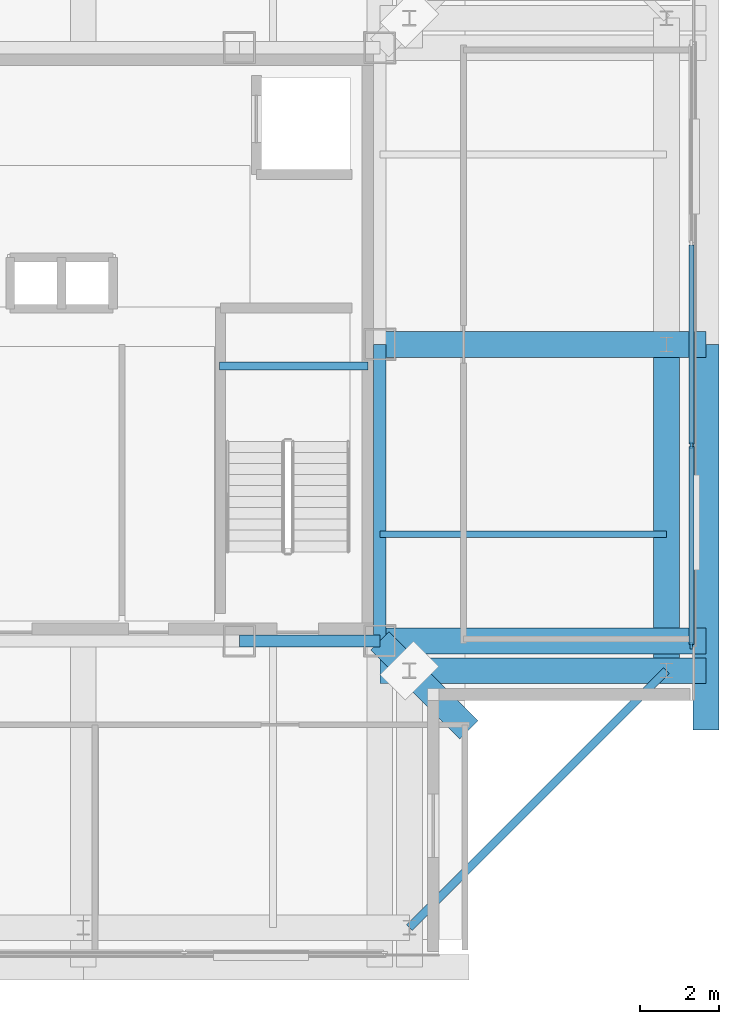
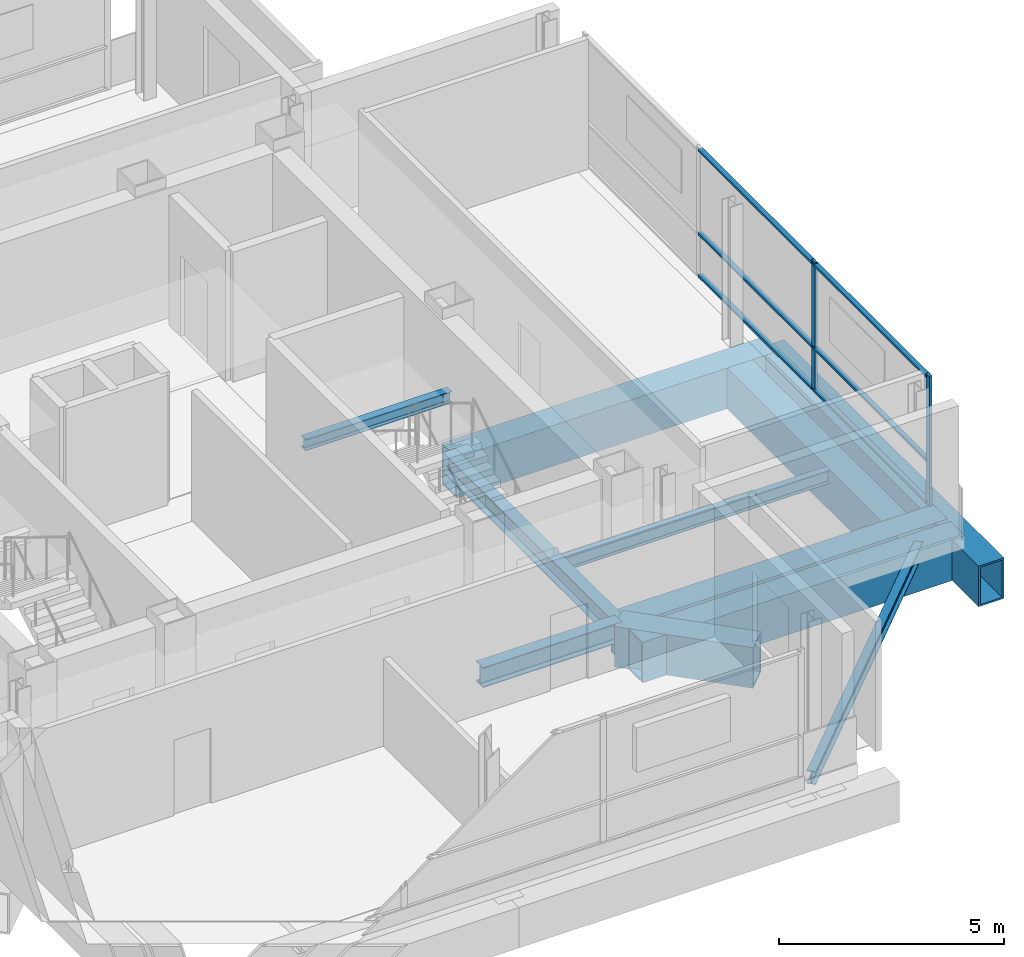
# One storey, part 3 of 10: 11 beams, 8 members, 1 element without a shape of its own.
"""IFC4 building model written with IfcOpenShell, lengths in metres."""

from ifc_helpers import new_model, si_unit, direction, frame, origin, origin_2d, place, context, subcontext, project, spatial, rectangle, hollow_rectangle, i_section, extrude, material, layer, layer_set, material_profile, profile_set, type_object, element, aggregate, save


model = new_model("IFC4")

# Units and contexts
model_context = context("Model", 3, precision=1e-05, world=origin(), true_north=direction((0.0, 1.0)))
body_context = subcontext(model_context, "Body", "Model", "MODEL_VIEW")
ifc_project = project(units=[si_unit("LENGTHUNIT", "METRE"), si_unit("AREAUNIT", "SQUARE_METRE"), si_unit("VOLUMEUNIT", "CUBIC_METRE"), si_unit("PLANEANGLEUNIT", "RADIAN"), si_unit("MASSUNIT", "GRAM", prefix="KILO")], contexts=[model_context])

# Site, building, storey
site_placement = place(None, origin())
site = spatial("IfcSite", under=ifc_project, at=site_placement, CompositionType="ELEMENT")
building_placement = place(site_placement, origin())
building = spatial("IfcBuilding", under=site, at=building_placement, Name="Trevonay Congress Spire", CompositionType="ELEMENT")
storey_placement = place(building_placement, frame((0.0, 0.0, 316.0)))
storey = spatial("IfcBuildingStorey", under=building, at=storey_placement, Name="L83", CompositionType="ELEMENT", Elevation=316.0)

# Beams
ifc_material_1 = material(Name="Steel ASTM A572 Grade 50", Category="steel")
ifc_material_profile_1 = material_profile(ifc_material_1, i_section(OverallWidth=0.31201171875, OverallDepth=0.54296875, WebThickness=0.0126953125, FlangeThickness=0.020263671875, FilletRadius=0.014892578125, at=origin_2d()), Name="W530x150")
ifc_profile_set_1 = profile_set([ifc_material_profile_1], Name="Steel ASTM A572 Grade 50")
beam_type_1 = type_object("IfcBeamType", Name="BM-GIRD-W530X150", PredefinedType="BEAM", material=ifc_profile_set_1)
beam_1_placement = place(storey_placement, frame((3.949951171875, -7.5, -0.67138671875), z_axis=(1.0, 0.0, 0.0), x_axis=(0.0, 1.0, 0.0)))
element("IfcBeam", 1, at=beam_1_placement, inside=storey, type_object=beam_type_1, Name="L83 structural beam BM-L83-CR-S3", PredefinedType="BEAM", context=body_context, shape_type="SweptSolid", body=[
    extrude(i_section(OverallWidth=0.31201171875, OverallDepth=0.54296875, WebThickness=0.0126953125, FlangeThickness=0.020263671875, FilletRadius=0.014892578125, at=origin_2d()), origin(), (0.0, 0.0, 1.0), 3.550048828125),
])
beam_2_placement = place(storey_placement, frame((7.5, -7.5, -0.67138671875), z_axis=(0.0, 1.0, 0.0), x_axis=(-1.0, 0.0, 0.0)))
element("IfcBeam", 2, at=beam_2_placement, inside=storey, type_object=beam_type_1, Name="L83 structural beam BM-L83-CR-E1", PredefinedType="BEAM", context=body_context, shape_type="SweptSolid", body=[
    extrude(i_section(OverallWidth=0.31201171875, OverallDepth=0.54296875, WebThickness=0.0126953125, FlangeThickness=0.020263671875, FilletRadius=0.014892578125, at=origin_2d()), origin(), (0.0, 0.0, 1.0), 7.5),
])
ifc_material_profile_2 = material_profile(ifc_material_1, hollow_rectangle(XDim=0.64990234375, YDim=1.10009765625, WallThickness=0.044921875, at=origin_2d()), Name="BOX 1100x650x45")
ifc_profile_set_2 = profile_set([ifc_material_profile_2], Name="Steel ASTM A572 Grade 50")
beam_type_2 = type_object("IfcBeamType", Name="BM-RING-BOX1100", PredefinedType="BEAM", material=ifc_profile_set_2)
beam_3_placement = place(storey_placement, frame((14.75, -8.25, -0.949951171875), z_axis=(0.0, 1.0, 0.0), x_axis=(-1.0, 0.0, 0.0)))
element("IfcBeam", 3, at=beam_3_placement, inside=storey, type_object=beam_type_2, Name="L83 structural beam BM-L83-PE1", PredefinedType="BEAM", context=body_context, shape_type="SweptSolid", body=[
    extrude(hollow_rectangle(XDim=0.64990234375, YDim=1.10009765625, WallThickness=0.044921875, at=origin_2d()), origin(), (0.0, 0.0, 1.0), 8.25),
])
beam_4_placement = place(storey_placement, frame((15.75, -9.75, -0.949951171875), z_axis=(0.0, 1.0, 0.0), x_axis=(-1.0, 0.0, 0.0)))
element("IfcBeam", 4, at=beam_4_placement, inside=storey, type_object=beam_type_2, Name="L83 structural beam XOUT-L83-E0", PredefinedType="BEAM", context=body_context, shape_type="SweptSolid", body=[
    extrude(hollow_rectangle(XDim=0.64990234375, YDim=1.10009765625, WallThickness=0.044921875, at=origin_2d()), origin(), (0.0, 0.0, 1.0), 9.75),
])
ifc_material_profile_3 = material_profile(ifc_material_1, hollow_rectangle(XDim=0.64990234375, YDim=1.10009765625, WallThickness=0.044921875, at=origin_2d()), Name="BOX 1100x650x45")
ifc_profile_set_3 = profile_set([ifc_material_profile_3], Name="Steel ASTM A572 Grade 50")
beam_type_3 = type_object("IfcBeamType", Name="BM-XFER-BOX1100", PredefinedType="BEAM", material=ifc_profile_set_3)
beam_5_placement = place(storey_placement, frame((7.5, -7.5, -0.949951171875), z_axis=(0.707106781187, -0.707106781187, 0.0), x_axis=(0.707106781187, 0.707106781187, 0.0)))
element("IfcBeam", 5, at=beam_5_placement, inside=storey, type_object=beam_type_3, Name="L83 structural beam BM-L83-CDSE", PredefinedType="BEAM", context=body_context, shape_type="SweptSolid", body=[
    extrude(hollow_rectangle(XDim=0.64990234375, YDim=1.10009765625, WallThickness=0.044921875, at=origin_2d()), origin(), (0.0, 0.0, 1.0), 3.181884765625),
])
for number, where, z_axis, x_axis, name in (
    (6, (7.5, -7.5, -0.949951171875), (1.0, 0.0, 0.0), (0.0, 1.0, 0.0), "L83 structural beam XSPN-L83-CX-SE"),
    (7, (7.5, -8.25, -0.949951171875), (1.0, 0.0, 0.0), (0.0, 1.0, 0.0), "L83 structural beam XFER-L83-E0"),
    (8, (7.5, 0.0, -0.949951171875), (1.0, 0.0, 0.0), (0.0, 1.0, 0.0), "L83 structural beam XFER-L83-E1"),
):
    element("IfcBeam", number, at=place(storey_placement, frame(where, z_axis=z_axis, x_axis=x_axis)), inside=storey, type_object=beam_type_3, Name=name, PredefinedType="BEAM", context=body_context, shape_type="SweptSolid", body=[
        extrude(hollow_rectangle(XDim=0.64990234375, YDim=1.10009765625, WallThickness=0.044921875, at=origin_2d()), origin(), (0.0, 0.0, 1.0), 8.25),
    ])

# Curtain wall, members
ifc_material_2 = material(Name="Pale Anodised Aluminium EN AW-6063-T6", Category="aluminium")
ifc_layer = layer(ifc_material_2, 0.159912109375, Name="Pale Anodised Aluminium EN AW-6063-T6")
ifc_layer_set = layer_set([ifc_layer], Name="Pale Anodised Aluminium EN AW-6063-T6")
curtain_wall_type = type_object("IfcCurtainWallType", Name="CW-SYS06-CROWN-PALE-METAL", PredefinedType="NOTDEFINED", material=ifc_layer_set)
curtain_wall_placement = place(storey_placement, origin())
curtain_wall = element("IfcCurtainWall", 9, at=curtain_wall_placement, inside=storey, type_object=curtain_wall_type, Name="L83 E unitised curtain wall", PredefinedType="NOTDEFINED")
ifc_material_profile_4 = material_profile(ifc_material_2, rectangle(XDim=0.06005859375, YDim=0.159912109375, at=origin_2d()), Name="CW-MULLION-160-ALUMINIUM")
ifc_profile_set_4 = profile_set([ifc_material_profile_4], Name="Pale Anodised Aluminium EN AW-6063-T6")
member_type_1 = type_object("IfcMemberType", Name="CW-MULLION-160-ALUMINIUM", PredefinedType="MULLION", material=ifc_profile_set_4)
member_1_placement = place(storey_placement, frame((15.3798828125, -7.6201171875, 0.0), z_axis=(0.0, 0.0, 1.0), x_axis=(-1.0, 0.0, 0.0)))
member_1 = element("IfcMember", 10, at=member_1_placement, type_object=member_type_1, Name="CW06 mullion 1", PredefinedType="MULLION", context=body_context, shape_type="SweptSolid", body=[
    extrude(rectangle(XDim=0.06005859375, YDim=0.159912109375, at=origin_2d()), origin(), (0.0, 0.0, 1.0), 3.52001953125),
])
member_2_placement = place(storey_placement, frame((15.3798828125, -2.550048828125, 0.0), z_axis=(0.0, 0.0, 1.0), x_axis=(-1.0, 0.0, 0.0)))
member_2 = element("IfcMember", 11, at=member_2_placement, type_object=member_type_1, Name="CW06 mullion 2", PredefinedType="MULLION", context=body_context, shape_type="SweptSolid", body=[
    extrude(rectangle(XDim=0.06005859375, YDim=0.159912109375, at=origin_2d()), origin(), (0.0, 0.0, 1.0), 3.52001953125),
])
ifc_material_profile_5 = material_profile(ifc_material_2, rectangle(XDim=0.1201171875, YDim=0.06005859375, at=origin_2d()), Name="CW-TRANSOM-120-ALUMINIUM")
ifc_profile_set_5 = profile_set([ifc_material_profile_5], Name="Pale Anodised Aluminium EN AW-6063-T6")
member_type_2 = type_object("IfcMemberType", Name="CW-TRANSOM-120-ALUMINIUM", PredefinedType="USERDEFINED", material=ifc_profile_set_5)
member_3_placement = place(storey_placement, frame((15.3798828125, -7.590087890625, 0.06005859375), z_axis=(0.0, 1.0, 0.0), x_axis=(-1.0, 0.0, 0.0)))
member_3 = element("IfcMember", 12, at=member_3_placement, type_object=member_type_2, Name="CW06 transom 1.1", ObjectType="TRANSOM", PredefinedType="USERDEFINED", context=body_context, shape_type="SweptSolid", body=[
    extrude(rectangle(XDim=0.1201171875, YDim=0.06005859375, at=origin_2d()), origin(), (0.0, 0.0, 1.0), 5.010009765625),
])
member_4_placement = place(storey_placement, frame((15.3798828125, -7.590087890625, 1.19677734375), z_axis=(0.0, 1.0, 0.0), x_axis=(-1.0, 0.0, 0.0)))
member_4 = element("IfcMember", 13, at=member_4_placement, type_object=member_type_2, Name="CW06 transom 1.2", ObjectType="TRANSOM", PredefinedType="USERDEFINED", context=body_context, shape_type="SweptSolid", body=[
    extrude(rectangle(XDim=0.1201171875, YDim=0.06005859375, at=origin_2d()), origin(), (0.0, 0.0, 1.0), 5.010009765625),
])
member_5_placement = place(storey_placement, frame((15.3798828125, -7.590087890625, 3.4599609375), z_axis=(0.0, 1.0, 0.0), x_axis=(-1.0, 0.0, 0.0)))
member_5 = element("IfcMember", 14, at=member_5_placement, type_object=member_type_2, Name="CW06 transom 1.3", ObjectType="TRANSOM", PredefinedType="USERDEFINED", context=body_context, shape_type="SweptSolid", body=[
    extrude(rectangle(XDim=0.1201171875, YDim=0.06005859375, at=origin_2d()), origin(), (0.0, 0.0, 1.0), 5.010009765625),
])
member_6_placement = place(storey_placement, frame((15.3798828125, -2.52001953125, 0.06005859375), z_axis=(0.0, 1.0, 0.0), x_axis=(-1.0, 0.0, 0.0)))
member_6 = element("IfcMember", 15, at=member_6_placement, type_object=member_type_2, Name="CW06 transom 2.1", ObjectType="TRANSOM", PredefinedType="USERDEFINED", context=body_context, shape_type="SweptSolid", body=[
    extrude(rectangle(XDim=0.1201171875, YDim=0.06005859375, at=origin_2d()), origin(), (0.0, 0.0, 1.0), 5.0400390625),
])
member_7_placement = place(storey_placement, frame((15.3798828125, -2.52001953125, 1.19677734375), z_axis=(0.0, 1.0, 0.0), x_axis=(-1.0, 0.0, 0.0)))
member_7 = element("IfcMember", 16, at=member_7_placement, type_object=member_type_2, Name="CW06 transom 2.2", ObjectType="TRANSOM", PredefinedType="USERDEFINED", context=body_context, shape_type="SweptSolid", body=[
    extrude(rectangle(XDim=0.1201171875, YDim=0.06005859375, at=origin_2d()), origin(), (0.0, 0.0, 1.0), 5.0400390625),
])
member_8_placement = place(storey_placement, frame((15.3798828125, -2.52001953125, 3.4599609375), z_axis=(0.0, 1.0, 0.0), x_axis=(-1.0, 0.0, 0.0)))
member_8 = element("IfcMember", 17, at=member_8_placement, type_object=member_type_2, Name="CW06 transom 2.3", ObjectType="TRANSOM", PredefinedType="USERDEFINED", context=body_context, shape_type="SweptSolid", body=[
    extrude(rectangle(XDim=0.1201171875, YDim=0.06005859375, at=origin_2d()), origin(), (0.0, 0.0, 1.0), 5.0400390625),
])
aggregate(curtain_wall, [member_1, member_2, member_3, member_4, member_5, member_6, member_7, member_8])

# Beams
ifc_material_profile_6 = material_profile(ifc_material_1, i_section(OverallWidth=0.172119140625, OverallDepth=0.35791015625, WebThickness=0.0078125, FlangeThickness=0.01318359375, FilletRadius=0.011962890625, at=origin_2d()), Name="W360x57.8")
ifc_profile_set_6 = profile_set([ifc_material_profile_6], Name="Steel ASTM A572 Grade 50")
beam_type_4 = type_object("IfcBeamType", Name="JS-COMP-W360X57", PredefinedType="JOIST", material=ifc_profile_set_6)
beam_6_placement = place(storey_placement, frame((7.5, -4.800048828125, -0.5791015625), z_axis=(1.0, 0.0, 0.0), x_axis=(0.0, 1.0, 0.0)))
element("IfcBeam", 18, at=beam_6_placement, inside=storey, type_object=beam_type_4, Name="L83 structural beam JS-L83-EW-E1", PredefinedType="JOIST", context=body_context, shape_type="SweptSolid", body=[
    extrude(i_section(OverallWidth=0.172119140625, OverallDepth=0.35791015625, WebThickness=0.0078125, FlangeThickness=0.01318359375, FilletRadius=0.011962890625, at=origin_2d()), origin(), (0.0, 0.0, 1.0), 7.25),
])
ifc_material_profile_7 = material_profile(ifc_material_1, i_section(OverallWidth=0.2041015625, OverallDepth=0.305908203125, WebThickness=0.008544921875, FlangeThickness=0.0146484375, FilletRadius=0.010986328125, at=origin_2d()), Name="W310x67")
ifc_profile_set_7 = profile_set([ifc_material_profile_7], Name="Steel ASTM A572 Grade 50")
beam_type_5 = type_object("IfcBeamType", Name="LN-CORE-W310X67", PredefinedType="LINTEL", material=ifc_profile_set_7)
beam_7_placement = place(storey_placement, frame((3.449951171875, -0.550048828125, 1.547119140625), z_axis=(1.0, 0.0, 0.0), x_axis=(0.0, 1.0, 0.0)))
element("IfcBeam", 19, at=beam_7_placement, inside=storey, type_object=beam_type_5, Name="L83 structural beam BM-L83-HL-ST2", PredefinedType="LINTEL", context=body_context, shape_type="SweptSolid", body=[
    extrude(i_section(OverallWidth=0.2041015625, OverallDepth=0.305908203125, WebThickness=0.008544921875, FlangeThickness=0.0146484375, FilletRadius=0.010986328125, at=origin_2d()), origin(), (0.0, 0.0, 1.0), 3.75),
])
ifc_material_profile_8 = material_profile(ifc_material_1, i_section(OverallWidth=0.205078125, OverallDepth=0.35400390625, WebThickness=0.009521484375, FlangeThickness=0.016845703125, FilletRadius=0.011962890625, at=origin_2d()), Name="W360x79")
ifc_profile_set_8 = profile_set([ifc_material_profile_8], Name="Steel ASTM A572 Grade 50")
beam_type_6 = type_object("IfcBeamType", Name="SPB-HSS350", PredefinedType="SPANDREL", material=ifc_profile_set_8)
beam_8_placement = place(storey_placement, frame((8.25, -14.75, -0.576904296875), z_axis=(0.707106781187, 0.707106781187, 0.0), x_axis=(-0.707106781187, 0.707106781187, 0.0)))
element("IfcBeam", 20, at=beam_8_placement, inside=storey, type_object=beam_type_6, Name="L83 structural beam SPB-L83-SE", PredefinedType="SPANDREL", context=body_context, shape_type="SweptSolid", body=[
    extrude(i_section(OverallWidth=0.205078125, OverallDepth=0.35400390625, WebThickness=0.009521484375, FlangeThickness=0.016845703125, FilletRadius=0.011962890625, at=origin_2d()), origin(), (0.0, 0.0, 1.0), 9.1923828125),
])

save(model, "model.ifc")
